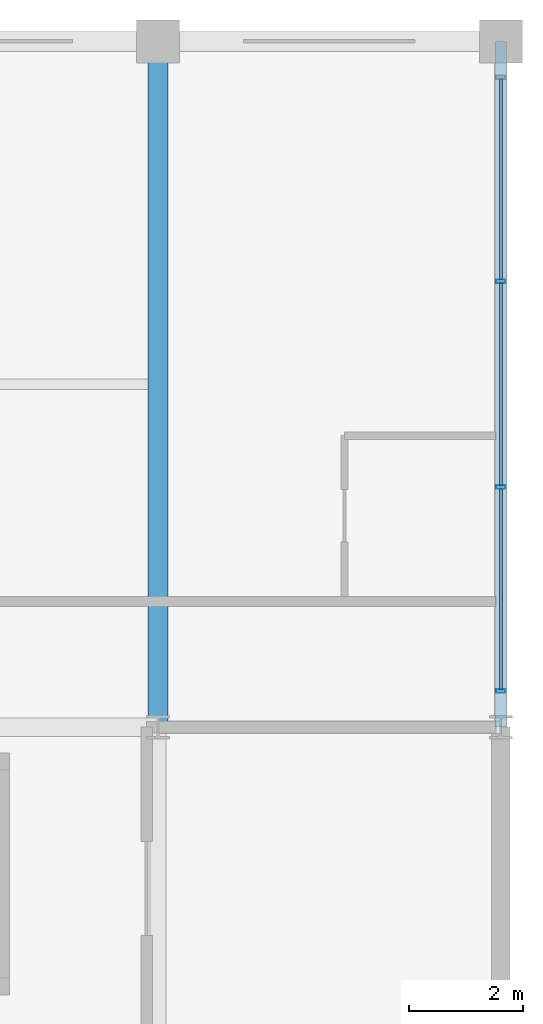
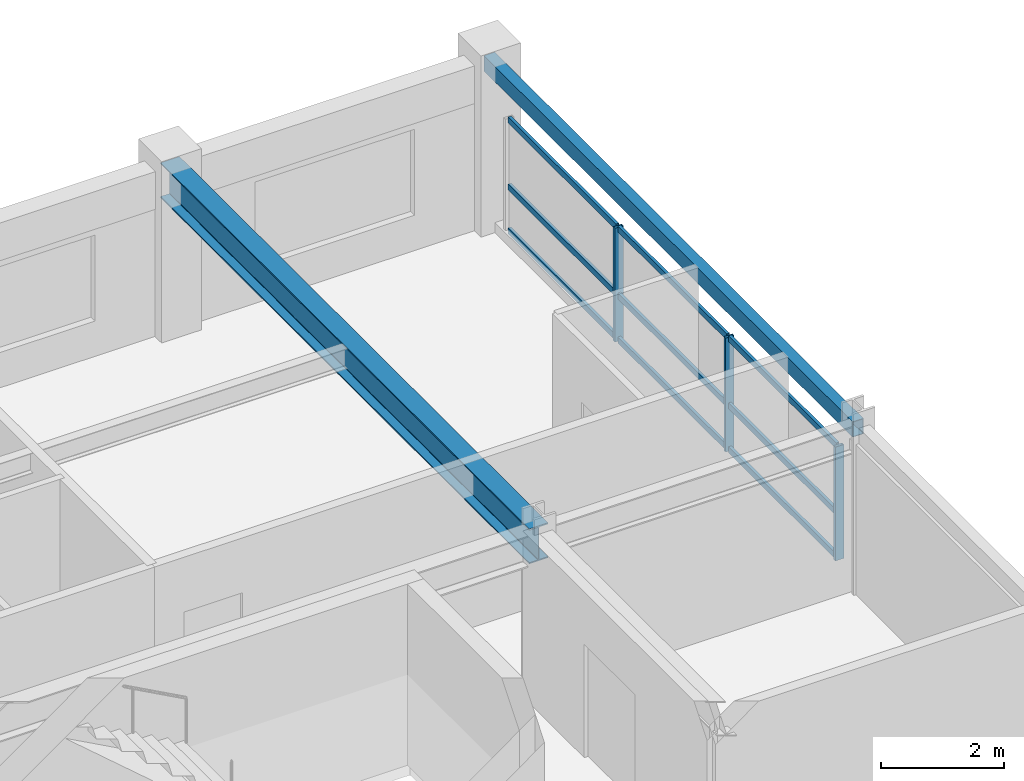
# One storey, part 11 of 20: 12 members, 2 beams, 1 element without a shape of its own.
"""IFC4 building model written with IfcOpenShell, lengths in metres."""

from ifc_helpers import new_model, si_unit, direction, frame, origin, origin_2d, place, context, subcontext, project, spatial, hollow_rectangle, i_section, extrude, material, material_profile, profile_set, type_object, element, aggregate, save


model = new_model("IFC4")

# Units and contexts
model_context = context("Model", 3, precision=1e-05, world=origin(), true_north=direction((0.0, 1.0)))
body_context = subcontext(model_context, "Body", "Model", "MODEL_VIEW")
ifc_project = project(units=[si_unit("LENGTHUNIT", "METRE"), si_unit("AREAUNIT", "SQUARE_METRE"), si_unit("VOLUMEUNIT", "CUBIC_METRE"), si_unit("PLANEANGLEUNIT", "RADIAN"), si_unit("MASSUNIT", "GRAM", prefix="KILO")], contexts=[model_context])

# Site, building, storey
site_placement = place(None, origin())
site = spatial("IfcSite", under=ifc_project, at=site_placement, CompositionType="ELEMENT")
building_placement = place(site_placement, origin())
building = spatial("IfcBuilding", under=site, at=building_placement, Name="Kaldorvane Square Convention Centre", CompositionType="ELEMENT")
storey_placement = place(building_placement, frame((0.0, 0.0, 52.80000305175781)))
storey = spatial("IfcBuildingStorey", under=building, at=storey_placement, Name="L12", CompositionType="ELEMENT", Elevation=52.80000305175781)

# Beams
ifc_material_1 = material(Name="Steel ASTM A992 Gr. 50", Category="steel")
ifc_material_profile_1 = material_profile(ifc_material_1, i_section(OverallWidth=0.354705810546875, OverallDepth=0.69549560546875, WebThickness=0.0153961181640625, FlangeThickness=0.0251007080078125, FilletRadius=0.01519775390625, at=origin_2d()), Name="W27X146")
ifc_profile_set_1 = profile_set([ifc_material_profile_1], Name="Steel ASTM A992 Gr. 50")
beam_type_1 = type_object("IfcBeamType", Name="BM-GR-W27X146", PredefinedType="BEAM", material=ifc_profile_set_1)
beam_1_placement = place(storey_placement, frame((78.0, 105.0, 2.93829345703125), z_axis=(0.0, 1.0, 0.0), x_axis=(-1.0, 0.0, 0.0)))
element("IfcBeam", 1, at=beam_1_placement, inside=storey, type_object=beam_type_1, Name="Transverse Girder (L12)", PredefinedType="BEAM", context=body_context, shape_type="SweptSolid", body=[
    extrude(i_section(OverallWidth=0.354705810546875, OverallDepth=0.69549560546875, WebThickness=0.0153961181640625, FlangeThickness=0.0251007080078125, FilletRadius=0.01519775390625, at=origin_2d()), origin(), (0.0, 0.0, 1.0), 12.0),
])
ifc_material_2 = material(Name="Steel ASTM A500 Gr. C", Category="steel")
ifc_material_profile_2 = material_profile(ifc_material_2, hollow_rectangle(XDim=0.2032012939453125, YDim=0.3047943115234375, WallThickness=0.0088958740234375, at=origin_2d()), Name="HSS12X8X3/8")
ifc_profile_set_2 = profile_set([ifc_material_profile_2], Name="Steel ASTM A500 Gr. C")
beam_type_2 = type_object("IfcBeamType", Name="BM-SP-HSS12", PredefinedType="SPANDREL", material=ifc_profile_set_2)
beam_2_placement = place(storey_placement, frame((84.0, 105.0, 3.1335906982421875), z_axis=(0.0, 1.0, 0.0), x_axis=(-1.0, 0.0, 0.0)))
element("IfcBeam", 2, at=beam_2_placement, inside=storey, type_object=beam_type_2, Name="End Spandrel (L12)", PredefinedType="SPANDREL", context=body_context, shape_type="SweptSolid", body=[
    extrude(hollow_rectangle(XDim=0.2032012939453125, YDim=0.3047943115234375, WallThickness=0.0088958740234375, at=origin_2d()), origin(), (0.0, 0.0, 1.0), 12.0),
])

# Curtain wall, members
ifc_material_3 = material(Name="Anodized Aluminum and Low-E Insulated Glazing", Category="aluminium")
curtain_wall_type = type_object("IfcCurtainWallType", Name="CW-UNI-HTL-A", PredefinedType="USERDEFINED", material=ifc_material_3)
curtain_wall_placement = place(storey_placement, origin())
curtain_wall = element("IfcCurtainWall", 3, at=curtain_wall_placement, inside=storey, type_object=curtain_wall_type, Name="Curtain Wall CW-10 (L12)", ObjectType="UNITISED GLAZING", PredefinedType="USERDEFINED")
ifc_material_profile_3 = material_profile(ifc_material_3, hollow_rectangle(XDim=0.05999755859375, YDim=0.160003662109375, WallThickness=0.003204345703125, at=origin_2d()), Name="CWM-160X60")
ifc_profile_set_3 = profile_set([ifc_material_profile_3], Name="Anodized Aluminum and Low-E Insulated Glazing")
member_type_1 = type_object("IfcMemberType", Name="CW-MUL-160", PredefinedType="MULLION", material=ifc_profile_set_3)
member_1_placement = place(storey_placement, frame((84.0, 105.6300048828125, 0.149993896484375), z_axis=(0.0, 0.0, 1.0), x_axis=(0.0, 1.0, 0.0)))
member_1 = element("IfcMember", 4, at=member_1_placement, type_object=member_type_1, Name="CW-10 mullion 1", PredefinedType="MULLION", context=body_context, shape_type="SweptSolid", body=[
    extrude(hollow_rectangle(XDim=0.05999755859375, YDim=0.160003662109375, WallThickness=0.003204345703125, at=origin_2d()), origin(), (0.0, 0.0, 1.0), 2.260009765625),
])
member_2_placement = place(storey_placement, frame((84.0, 109.19999694824219, 0.149993896484375), z_axis=(0.0, 0.0, 1.0), x_axis=(0.0, 1.0, 0.0)))
member_2 = element("IfcMember", 5, at=member_2_placement, type_object=member_type_1, Name="CW-10 mullion 2", PredefinedType="MULLION", context=body_context, shape_type="SweptSolid", body=[
    extrude(hollow_rectangle(XDim=0.05999755859375, YDim=0.160003662109375, WallThickness=0.003204345703125, at=origin_2d()), origin(), (0.0, 0.0, 1.0), 2.260009765625),
])
member_3_placement = place(storey_placement, frame((84.0, 112.80000305175781, 0.149993896484375), z_axis=(0.0, 0.0, 1.0), x_axis=(0.0, 1.0, 0.0)))
member_3 = element("IfcMember", 6, at=member_3_placement, type_object=member_type_1, Name="CW-10 mullion 3", PredefinedType="MULLION", context=body_context, shape_type="SweptSolid", body=[
    extrude(hollow_rectangle(XDim=0.05999755859375, YDim=0.160003662109375, WallThickness=0.003204345703125, at=origin_2d()), origin(), (0.0, 0.0, 1.0), 2.260009765625),
])
ifc_material_profile_4 = material_profile(ifc_material_3, hollow_rectangle(XDim=0.05499267578125, YDim=0.1199951171875, WallThickness=0.0030059814453125, at=origin_2d()), Name="CWT-120X55")
ifc_profile_set_4 = profile_set([ifc_material_profile_4], Name="Anodized Aluminum and Low-E Insulated Glazing")
member_type_2 = type_object("IfcMemberType", Name="CW-TRN-120", PredefinedType="USERDEFINED", material=ifc_profile_set_4)
member_4_placement = place(storey_placement, frame((84.0, 105.66000366210938, 0.177490234375), z_axis=(0.0, 1.0, 0.0), x_axis=(-1.0, 0.0, 0.0)))
member_4 = element("IfcMember", 7, at=member_4_placement, type_object=member_type_2, Name="CW-10 transom 1.1", ObjectType="TRANSOM", PredefinedType="USERDEFINED", context=body_context, shape_type="SweptSolid", body=[
    extrude(hollow_rectangle(XDim=0.05499267578125, YDim=0.1199951171875, WallThickness=0.0030059814453125, at=origin_2d()), origin(), (0.0, 0.0, 1.0), 3.5099945068359375),
])
member_5_placement = place(storey_placement, frame((84.0, 105.66000366210938, 1.0500030517578125), z_axis=(0.0, 1.0, 0.0), x_axis=(-1.0, 0.0, 0.0)))
member_5 = element("IfcMember", 8, at=member_5_placement, type_object=member_type_2, Name="CW-10 transom 1.2", ObjectType="TRANSOM", PredefinedType="USERDEFINED", context=body_context, shape_type="SweptSolid", body=[
    extrude(hollow_rectangle(XDim=0.05499267578125, YDim=0.1199951171875, WallThickness=0.0030059814453125, at=origin_2d()), origin(), (0.0, 0.0, 1.0), 3.5099945068359375),
])
member_6_placement = place(storey_placement, frame((84.0, 105.66000366210938, 2.3824920654296875), z_axis=(0.0, 1.0, 0.0), x_axis=(-1.0, 0.0, 0.0)))
member_6 = element("IfcMember", 9, at=member_6_placement, type_object=member_type_2, Name="CW-10 transom 1.3", ObjectType="TRANSOM", PredefinedType="USERDEFINED", context=body_context, shape_type="SweptSolid", body=[
    extrude(hollow_rectangle(XDim=0.05499267578125, YDim=0.1199951171875, WallThickness=0.0030059814453125, at=origin_2d()), origin(), (0.0, 0.0, 1.0), 3.5099945068359375),
])
member_7_placement = place(storey_placement, frame((84.0, 109.22999572753906, 0.177490234375), z_axis=(0.0, 1.0, 0.0), x_axis=(-1.0, 0.0, 0.0)))
member_7 = element("IfcMember", 10, at=member_7_placement, type_object=member_type_2, Name="CW-10 transom 2.1", ObjectType="TRANSOM", PredefinedType="USERDEFINED", context=body_context, shape_type="SweptSolid", body=[
    extrude(hollow_rectangle(XDim=0.05499267578125, YDim=0.1199951171875, WallThickness=0.0030059814453125, at=origin_2d()), origin(), (0.0, 0.0, 1.0), 3.540008544921875),
])
member_8_placement = place(storey_placement, frame((84.0, 109.22999572753906, 1.0500030517578125), z_axis=(0.0, 1.0, 0.0), x_axis=(-1.0, 0.0, 0.0)))
member_8 = element("IfcMember", 11, at=member_8_placement, type_object=member_type_2, Name="CW-10 transom 2.2", ObjectType="TRANSOM", PredefinedType="USERDEFINED", context=body_context, shape_type="SweptSolid", body=[
    extrude(hollow_rectangle(XDim=0.05499267578125, YDim=0.1199951171875, WallThickness=0.0030059814453125, at=origin_2d()), origin(), (0.0, 0.0, 1.0), 3.540008544921875),
])
member_9_placement = place(storey_placement, frame((84.0, 109.22999572753906, 2.3824920654296875), z_axis=(0.0, 1.0, 0.0), x_axis=(-1.0, 0.0, 0.0)))
member_9 = element("IfcMember", 12, at=member_9_placement, type_object=member_type_2, Name="CW-10 transom 2.3", ObjectType="TRANSOM", PredefinedType="USERDEFINED", context=body_context, shape_type="SweptSolid", body=[
    extrude(hollow_rectangle(XDim=0.05499267578125, YDim=0.1199951171875, WallThickness=0.0030059814453125, at=origin_2d()), origin(), (0.0, 0.0, 1.0), 3.540008544921875),
])
member_10_placement = place(storey_placement, frame((84.0, 112.83000183105469, 0.177490234375), z_axis=(0.0, 1.0, 0.0), x_axis=(-1.0, 0.0, 0.0)))
member_10 = element("IfcMember", 13, at=member_10_placement, type_object=member_type_2, Name="CW-10 transom 3.1", ObjectType="TRANSOM", PredefinedType="USERDEFINED", context=body_context, shape_type="SweptSolid", body=[
    extrude(hollow_rectangle(XDim=0.05499267578125, YDim=0.1199951171875, WallThickness=0.0030059814453125, at=origin_2d()), origin(), (0.0, 0.0, 1.0), 3.5099945068359375),
])
member_11_placement = place(storey_placement, frame((84.0, 112.83000183105469, 1.0500030517578125), z_axis=(0.0, 1.0, 0.0), x_axis=(-1.0, 0.0, 0.0)))
member_11 = element("IfcMember", 14, at=member_11_placement, type_object=member_type_2, Name="CW-10 transom 3.2", ObjectType="TRANSOM", PredefinedType="USERDEFINED", context=body_context, shape_type="SweptSolid", body=[
    extrude(hollow_rectangle(XDim=0.05499267578125, YDim=0.1199951171875, WallThickness=0.0030059814453125, at=origin_2d()), origin(), (0.0, 0.0, 1.0), 3.5099945068359375),
])
member_12_placement = place(storey_placement, frame((84.0, 112.83000183105469, 2.3824920654296875), z_axis=(0.0, 1.0, 0.0), x_axis=(-1.0, 0.0, 0.0)))
member_12 = element("IfcMember", 15, at=member_12_placement, type_object=member_type_2, Name="CW-10 transom 3.3", ObjectType="TRANSOM", PredefinedType="USERDEFINED", context=body_context, shape_type="SweptSolid", body=[
    extrude(hollow_rectangle(XDim=0.05499267578125, YDim=0.1199951171875, WallThickness=0.0030059814453125, at=origin_2d()), origin(), (0.0, 0.0, 1.0), 3.5099945068359375),
])
aggregate(curtain_wall, [member_1, member_2, member_3, member_4, member_5, member_6, member_7, member_8, member_9, member_10, member_11, member_12])

save(model, "model.ifc")
